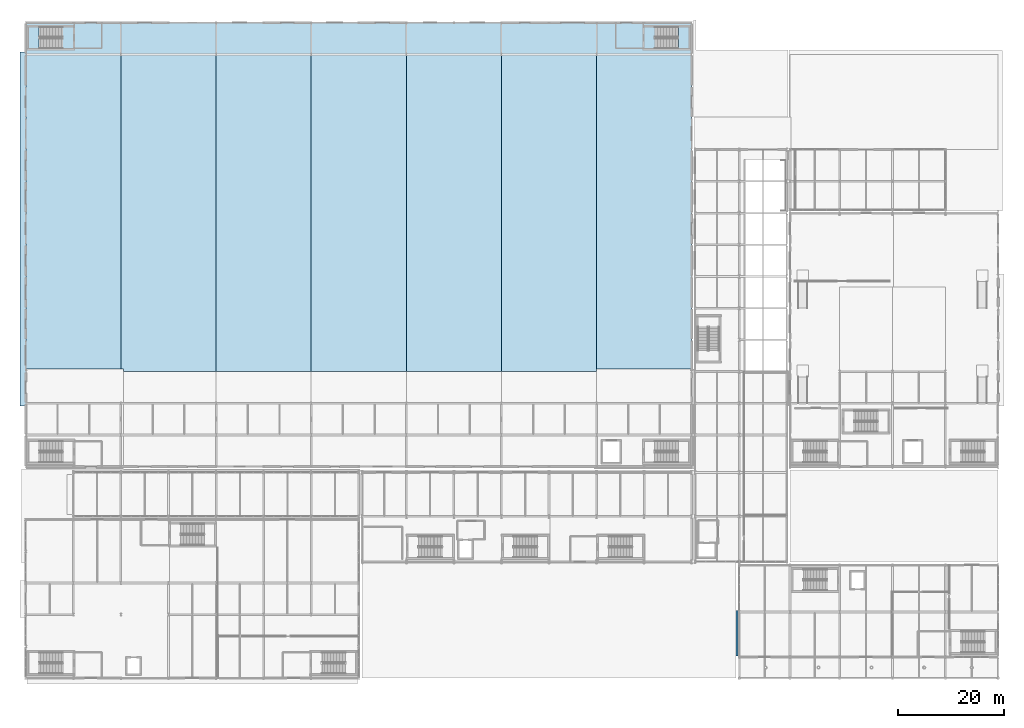
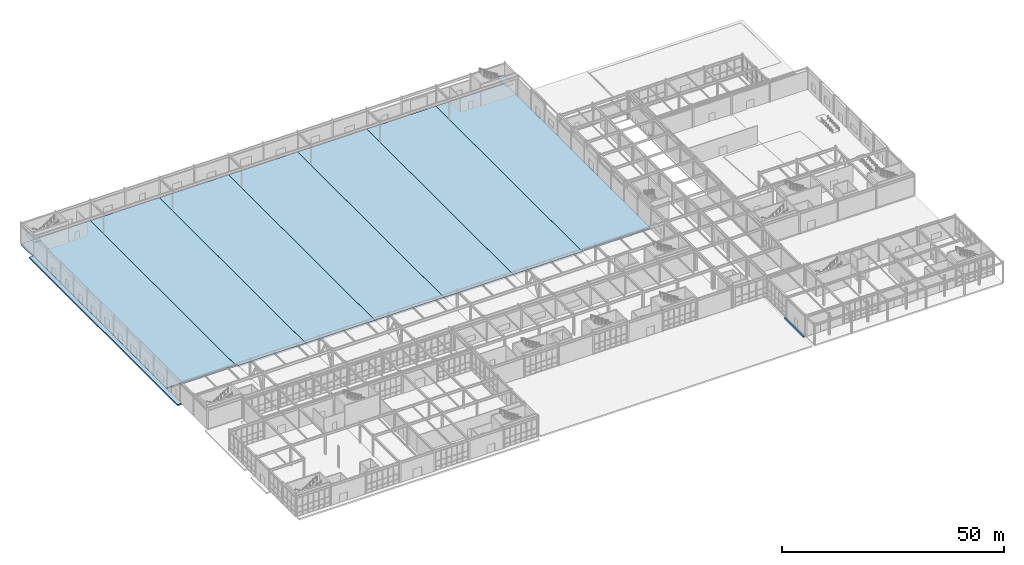
# One storey, part 110 of 146: 11 slabs, 2 elements without a shape of their own.
"""IFC4 building model written with IfcOpenShell, lengths in metres."""

from ifc_helpers import new_model, si_unit, direction, frame, origin, place, context, subcontext, project, spatial, polyline, outline, extrude, material, layer, layer_set, type_object, element, aggregate, save


model = new_model("IFC4")

# Units and contexts
model_context = context("Model", 3, precision=1e-05, world=origin(), true_north=direction((0.0, 1.0)))
body_context = subcontext(model_context, "Body", "Model", "MODEL_VIEW")
ifc_project = project(units=[si_unit("LENGTHUNIT", "METRE"), si_unit("AREAUNIT", "SQUARE_METRE"), si_unit("VOLUMEUNIT", "CUBIC_METRE"), si_unit("PLANEANGLEUNIT", "RADIAN"), si_unit("MASSUNIT", "GRAM", prefix="KILO")], contexts=[model_context])

# Site, building, storey
site_placement = place(None, origin())
site = spatial("IfcSite", under=ifc_project, at=site_placement, CompositionType="ELEMENT")
building_placement = place(site_placement, origin())
building = spatial("IfcBuilding", under=site, at=building_placement, Name="Kaldris Quays Convention Centre", CompositionType="ELEMENT")
storey_placement = place(building_placement, origin())
storey = spatial("IfcBuildingStorey", under=building, at=storey_placement, Name="L00", CompositionType="ELEMENT", Elevation=0.0)

# Stair, slab
ifc_material = material(Name="Concrete C35/45", Category="concrete")
stair_type = type_object("IfcStairType", Name="DOGLEG ESCAPE STAIR STF2", PredefinedType="TWO_STRAIGHT_RUN_STAIR", material=ifc_material)
stair_1_placement = place(storey_placement, origin())
stair_1 = element("IfcStair", 1, at=stair_1_placement, inside=storey, type_object=stair_type, Name="L00 Escape Stair ST03", PredefinedType="TWO_STRAIGHT_RUN_STAIR")
ifc_layer_1 = layer(ifc_material, 0.205078125)
ifc_layer_set_1 = layer_set([ifc_layer_1], Name="Concrete C35/45")
slab_type_1 = type_object("IfcSlabType", Name="STAIR LANDING SLAB LS01", PredefinedType="LANDING", material=ifc_layer_set_1)
slab_1_placement = place(storey_placement, frame((0.0, 0.0, 2.794921875)))
slab_1 = element("IfcSlab", 2, at=slab_1_placement, type_object=slab_type_1, Name="STF2 landing 1", PredefinedType="LANDING", context=body_context, shape_type="SweptSolid", body=[
    extrude(outline(polyline([(22.52001953125, 139.199951171875), (20.550048828125, 139.199951171875), (20.550048828125, 135.14990234375), (22.52001953125, 135.14990234375), (22.52001953125, 139.199951171875)])), origin(), (0.0, 0.0, 1.0), 0.205078125),
])
aggregate(stair_1, [slab_1])

stair_2_placement = place(storey_placement, origin())
stair_2 = element("IfcStair", 3, at=stair_2_placement, inside=storey, type_object=stair_type, Name="L00 Escape Stair ST04", PredefinedType="TWO_STRAIGHT_RUN_STAIR")
slab_2_placement = place(storey_placement, frame((0.0, 0.0, 2.794921875)))
slab_2 = element("IfcSlab", 4, at=slab_2_placement, type_object=slab_type_1, Name="STF2 landing 1", PredefinedType="LANDING", context=body_context, shape_type="SweptSolid", body=[
    extrude(outline(polyline([(143.47998046875, 135.14990234375), (145.449951171875, 135.14990234375), (145.449951171875, 139.199951171875), (143.47998046875, 139.199951171875), (143.47998046875, 135.14990234375)])), origin(), (0.0, 0.0, 1.0), 0.205078125),
])
aggregate(stair_2, [slab_2])

# Slabs
ifc_layer_2 = layer(ifc_material, 0.43994140625)
ifc_layer_set_2 = layer_set([ifc_layer_2], Name="Concrete C35/45")
slab_type_2 = type_object("IfcSlabType", Name="STRUCTURAL SLAB BS01", PredefinedType="BASESLAB", material=ifc_layer_set_2)
slab_3_placement = place(storey_placement, frame((0.0, 0.0, -0.43994140625)))
element("IfcSlab", 5, at=slab_3_placement, inside=storey, type_object=slab_type_2, Name="L00 V1 Heavy Ground Slab North 1 SLAB-L00-V1N-1", PredefinedType="BASESLAB", context=body_context, shape_type="SweptSolid", body=[
    extrude(outline(polyline([(20.0, 140.0), (38.0, 140.0), (38.0, 74.47705078125), (20.0, 74.47705078125), (20.0, 140.0)])), origin(), (0.0, 0.0, 1.0), 0.43994140625),
])
slab_4_placement = place(storey_placement, frame((0.0, 0.0, -0.43994140625)))
element("IfcSlab", 6, at=slab_4_placement, inside=storey, type_object=slab_type_2, Name="L00 V1 Heavy Ground Slab North 2 SLAB-L00-V1N-2", PredefinedType="BASESLAB", context=body_context, shape_type="SweptSolid", body=[
    extrude(outline(polyline([(56.0, 140.0), (56.0, 74.001953125), (38.47705078125, 74.001953125), (38.476318359375, 74.476318359375), (38.001953125, 74.47705078125), (38.001953125, 140.0), (56.0, 140.0)])), origin(), (0.0, 0.0, 1.0), 0.43994140625),
])
slab_5_placement = place(storey_placement, frame((0.0, 0.0, -0.43994140625)))
element("IfcSlab", 7, at=slab_5_placement, inside=storey, type_object=slab_type_2, Name="L00 V1 Heavy Ground Slab North 3 SLAB-L00-V1N-3", PredefinedType="BASESLAB", context=body_context, shape_type="SweptSolid", body=[
    extrude(outline(polyline([(74.0, 140.0), (74.0, 74.001953125), (56.001953125, 74.001953125), (56.001953125, 140.0), (74.0, 140.0)])), origin(), (0.0, 0.0, 1.0), 0.43994140625),
])
slab_6_placement = place(storey_placement, frame((0.0, 0.0, -0.43994140625)))
element("IfcSlab", 8, at=slab_6_placement, inside=storey, type_object=slab_type_2, Name="L00 V1 Heavy Ground Slab North 4 SLAB-L00-V1N-4", PredefinedType="BASESLAB", context=body_context, shape_type="SweptSolid", body=[
    extrude(outline(polyline([(92.0, 140.0), (92.0, 74.001953125), (74.001953125, 74.001953125), (74.001953125, 140.0), (92.0, 140.0)])), origin(), (0.0, 0.0, 1.0), 0.43994140625),
])
slab_7_placement = place(storey_placement, frame((0.0, 0.0, -0.43994140625)))
element("IfcSlab", 9, at=slab_7_placement, inside=storey, type_object=slab_type_2, Name="L00 V1 Heavy Ground Slab North 5 SLAB-L00-V1N-5", PredefinedType="BASESLAB", context=body_context, shape_type="SweptSolid", body=[
    extrude(outline(polyline([(110.0, 140.0), (110.0, 74.001953125), (92.001953125, 74.001953125), (92.001953125, 140.0), (110.0, 140.0)])), origin(), (0.0, 0.0, 1.0), 0.43994140625),
])
slab_8_placement = place(storey_placement, frame((0.0, 0.0, -0.43994140625)))
element("IfcSlab", 10, at=slab_8_placement, inside=storey, type_object=slab_type_2, Name="L00 V1 Heavy Ground Slab North 6 SLAB-L00-V1N-6", PredefinedType="BASESLAB", context=body_context, shape_type="SweptSolid", body=[
    extrude(outline(polyline([(128.0, 140.0), (128.0, 74.001953125), (110.001953125, 74.001953125), (110.001953125, 140.0), (128.0, 140.0)])), origin(), (0.0, 0.0, 1.0), 0.43994140625),
])
slab_9_placement = place(storey_placement, frame((0.0, 0.0, -0.43994140625)))
element("IfcSlab", 11, at=slab_9_placement, inside=storey, type_object=slab_type_2, Name="L00 V1 Heavy Ground Slab North 7 SLAB-L00-V1N-7", PredefinedType="BASESLAB", context=body_context, shape_type="SweptSolid", body=[
    extrude(outline(polyline([(146.0, 140.0), (146.0, 74.47705078125), (128.001953125, 74.47705078125), (128.001953125, 140.0), (146.0, 140.0)])), origin(), (0.0, 0.0, 1.0), 0.43994140625),
])
ifc_layer_3 = layer(ifc_material, 0.39990234375)
ifc_layer_set_3 = layer_set([ifc_layer_3], Name="Concrete C35/45")
slab_type_3 = type_object("IfcSlabType", Name="STRUCTURAL SLAB BS03", PredefinedType="BASESLAB", material=ifc_layer_set_3)
slab_10_placement = place(storey_placement, frame((0.0, 0.0, -0.39990234375)))
element("IfcSlab", 12, at=slab_10_placement, inside=storey, type_object=slab_type_3, Name="L00 Entrance Threshold Apron 4 SLAB-L00-THRESH-4", PredefinedType="BASESLAB", context=body_context, shape_type="SweptSolid", body=[
    extrude(outline(polyline([(154.798095703125, 28.800048828125), (154.798095703125, 20.199951171875), (154.402099609375, 20.199951171875), (154.402099609375, 28.800048828125), (154.798095703125, 28.800048828125)])), origin(), (0.0, 0.0, 1.0), 0.39990234375),
])
slab_11_placement = place(storey_placement, frame((0.0, 0.0, -0.39990234375)))
element("IfcSlab", 13, at=slab_11_placement, inside=storey, type_object=slab_type_3, Name="L00 Entrance Threshold Apron 6 SLAB-L00-THRESH-6", PredefinedType="BASESLAB", context=body_context, shape_type="SweptSolid", body=[
    extrude(outline(polyline([(18.89990234375, 67.5), (18.89990234375, 134.5), (19.998046875, 134.5), (19.998046875, 67.5), (18.89990234375, 67.5)])), origin(), (0.0, 0.0, 1.0), 0.39990234375),
])

save(model, "model.ifc")
